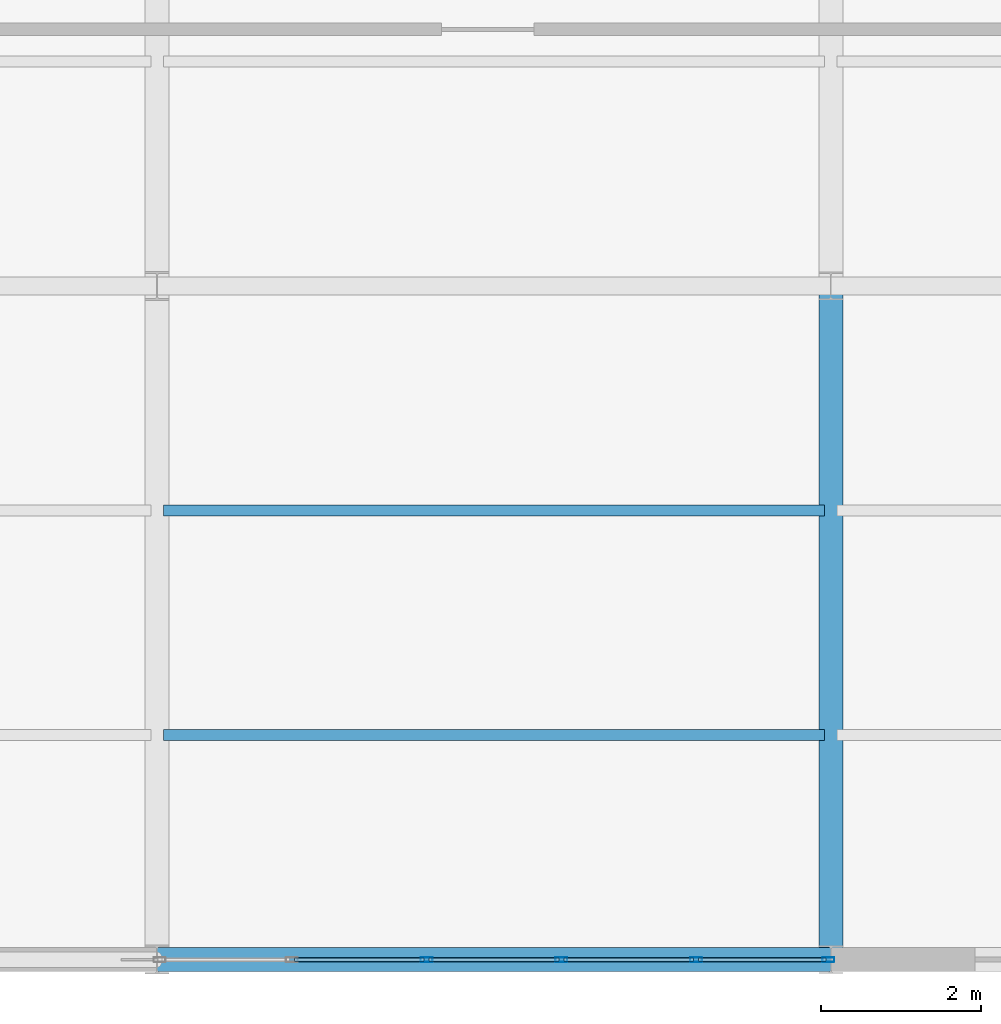
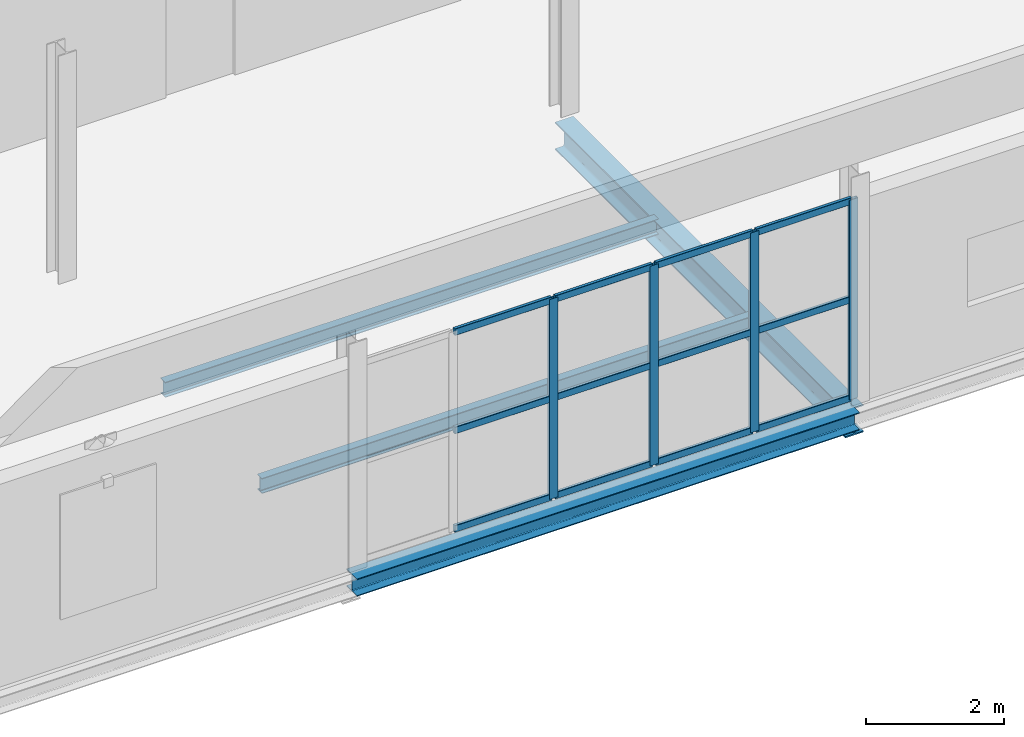
# One storey, part 122 of 184: 16 members, 4 beams, 1 element without a shape of its own.
"""IFC4 building model written with IfcOpenShell, lengths in metres."""

from ifc_helpers import new_model, si_unit, direction, frame, origin, origin_2d, place, context, subcontext, project, spatial, hollow_rectangle, i_section, extrude, material, layer, layer_set, material_profile, profile_set, type_object, element, aggregate, save


model = new_model("IFC4")

# Units and contexts
model_context = context("Model", 3, precision=1e-05, world=origin(), true_north=direction((0.0, 1.0)))
body_context = subcontext(model_context, "Body", "Model", "MODEL_VIEW")
ifc_project = project(units=[si_unit("LENGTHUNIT", "METRE"), si_unit("AREAUNIT", "SQUARE_METRE"), si_unit("VOLUMEUNIT", "CUBIC_METRE"), si_unit("PLANEANGLEUNIT", "RADIAN"), si_unit("MASSUNIT", "GRAM", prefix="KILO")], contexts=[model_context])

# Site, building, storey
site_placement = place(None, origin())
site = spatial("IfcSite", under=ifc_project, at=site_placement, CompositionType="ELEMENT")
building_placement = place(site_placement, origin())
building = spatial("IfcBuilding", under=site, at=building_placement, Name="Qalvenar Corner Mobility Hub", CompositionType="ELEMENT")
storey_placement = place(building_placement, frame((0.0, 0.0, 9.0)))
storey = spatial("IfcBuildingStorey", under=building, at=storey_placement, Name="L02", CompositionType="ELEMENT", Elevation=9.0)

# Beams
ifc_material_1 = material(Name="Steel S355", Category="steel")
ifc_material_profile_1 = material_profile(ifc_material_1, i_section(OverallWidth=0.300048828125, OverallDepth=0.489990234375, WebThickness=0.011962890625, FlangeThickness=0.02294921875, FilletRadius=0.027099609375, at=origin_2d()), Name="HEA500")
ifc_profile_set_1 = profile_set([ifc_material_profile_1], Name="Steel S355")
beam_type_1 = type_object("IfcBeamType", Name="BM-HEA500", PredefinedType="BEAM", material=ifc_profile_set_1)
beam_1_placement = place(storey_placement, frame((159.60009765625, 0.0, -0.425048828125), z_axis=(0.0, 1.0, 0.0), x_axis=(-1.0, 0.0, 0.0)))
element("IfcBeam", 1, at=beam_1_placement, inside=storey, type_object=beam_type_1, Name="Primary Steel Girder GY-1741", PredefinedType="BEAM", context=body_context, shape_type="SweptSolid", body=[
    extrude(i_section(OverallWidth=0.300048828125, OverallDepth=0.489990234375, WebThickness=0.011962890625, FlangeThickness=0.02294921875, FilletRadius=0.027099609375, at=origin_2d()), origin(), (0.0, 0.0, 1.0), 8.39990234375),
])
ifc_material_profile_2 = material_profile(ifc_material_1, i_section(OverallWidth=0.135009765625, OverallDepth=0.27001953125, WebThickness=0.006591796875, FlangeThickness=0.01025390625, FilletRadius=0.014892578125, at=origin_2d()), Name="IPE270")
ifc_profile_set_2 = profile_set([ifc_material_profile_2], Name="Steel S355")
beam_type_2 = type_object("IfcBeamType", Name="BM-JST270", PredefinedType="JOIST", material=ifc_profile_set_2)
for number, where, z_axis, x_axis, name in (
    (2, (151.278076171875, 2.800048828125, -0.31494140625), (1.0, 0.0, 0.0), (0.0, 1.0, 0.0), "Composite Floor Joist J-1799"),
    (3, (151.278076171875, 5.60009765625, -0.31494140625), (1.0, 0.0, 0.0), (0.0, 1.0, 0.0), "Composite Floor Joist J-1800"),
):
    element("IfcBeam", number, at=place(storey_placement, frame(where, z_axis=z_axis, x_axis=x_axis)), inside=storey, type_object=beam_type_2, Name=name, PredefinedType="JOIST", context=body_context, shape_type="SweptSolid", body=[
        extrude(i_section(OverallWidth=0.135009765625, OverallDepth=0.27001953125, WebThickness=0.006591796875, FlangeThickness=0.01025390625, FilletRadius=0.014892578125, at=origin_2d()), origin(), (0.0, 0.0, 1.0), 8.243896484375),
    ])
ifc_material_profile_3 = material_profile(ifc_material_1, i_section(OverallWidth=0.300048828125, OverallDepth=0.31005859375, WebThickness=0.009033203125, FlangeThickness=0.015380859375, FilletRadius=0.027099609375, at=origin_2d()), Name="HEA320")
ifc_profile_set_3 = profile_set([ifc_material_profile_3], Name="Steel S355")
beam_type_3 = type_object("IfcBeamType", Name="BM-SPN320", PredefinedType="SPANDREL", material=ifc_profile_set_3)
beam_2_placement = place(storey_placement, frame((151.199951171875, 0.0, -0.3349609375), z_axis=(1.0, 0.0, 0.0), x_axis=(0.0, 1.0, 0.0)))
element("IfcBeam", 4, at=beam_2_placement, inside=storey, type_object=beam_type_3, Name="Primary Steel Girder GX-1674", PredefinedType="SPANDREL", context=body_context, shape_type="SweptSolid", body=[
    extrude(i_section(OverallWidth=0.300048828125, OverallDepth=0.31005859375, WebThickness=0.009033203125, FlangeThickness=0.015380859375, FilletRadius=0.027099609375, at=origin_2d()), origin(), (0.0, 0.0, 1.0), 8.400146484375),
])

# Curtain wall, members
ifc_material_2 = material(Name="Anodised Aluminium and Low-E Glazing", Category="aluminium")
ifc_layer = layer(ifc_material_2, 0.14990234375)
ifc_layer_set = layer_set([ifc_layer], Name="Anodised Aluminium and Low-E Glazing")
curtain_wall_type = type_object("IfcCurtainWallType", Name="CW-WKS-84X44", PredefinedType="NOTDEFINED", material=ifc_layer_set)
curtain_wall_placement = place(storey_placement, origin())
curtain_wall = element("IfcCurtainWall", 5, at=curtain_wall_placement, inside=storey, type_object=curtain_wall_type, Name="Glazed Curtain Wall CW-V6-L02-S5", PredefinedType="NOTDEFINED")
ifc_material_3 = material(Name="Anodised Aluminium 6063-T6", Category="aluminium")
ifc_material_profile_4 = material_profile(ifc_material_3, hollow_rectangle(XDim=0.06005859375, YDim=0.14990234375, WallThickness=0.00390625, InnerFilletRadius=0.00390625, OuterFilletRadius=0.008056640625, at=origin_2d()), Name="RHS150x60x4")
ifc_profile_set_4 = profile_set([ifc_material_profile_4], Name="Anodised Aluminium 6063-T6")
member_type_1 = type_object("IfcMemberType", Name="CW-MUL150", PredefinedType="MULLION", material=ifc_profile_set_4)
member_1_placement = place(storey_placement, frame((154.56005859375, 0.0, 0.0), z_axis=(0.0, 0.0, 1.0), x_axis=(0.0, 1.0, 0.0)))
member_1 = element("IfcMember", 6, at=member_1_placement, type_object=member_type_1, Name="CW-09 mullion 3", PredefinedType="MULLION", context=body_context, shape_type="SweptSolid", body=[
    extrude(hollow_rectangle(XDim=0.06005859375, YDim=0.14990234375, WallThickness=0.00390625, InnerFilletRadius=0.00390625, OuterFilletRadius=0.008056640625, at=origin_2d()), origin(), (0.0, 0.0, 1.0), 3.530029296875),
])
member_2_placement = place(storey_placement, frame((156.239990234375, 0.0, 0.0), z_axis=(0.0, 0.0, 1.0), x_axis=(0.0, 1.0, 0.0)))
member_2 = element("IfcMember", 7, at=member_2_placement, type_object=member_type_1, Name="CW-09 mullion 4", PredefinedType="MULLION", context=body_context, shape_type="SweptSolid", body=[
    extrude(hollow_rectangle(XDim=0.06005859375, YDim=0.14990234375, WallThickness=0.00390625, InnerFilletRadius=0.00390625, OuterFilletRadius=0.008056640625, at=origin_2d()), origin(), (0.0, 0.0, 1.0), 3.530029296875),
])
member_3_placement = place(storey_placement, frame((157.919921875, 0.0, 0.0), z_axis=(0.0, 0.0, 1.0), x_axis=(0.0, 1.0, 0.0)))
member_3 = element("IfcMember", 8, at=member_3_placement, type_object=member_type_1, Name="CW-09 mullion 5", PredefinedType="MULLION", context=body_context, shape_type="SweptSolid", body=[
    extrude(hollow_rectangle(XDim=0.06005859375, YDim=0.14990234375, WallThickness=0.00390625, InnerFilletRadius=0.00390625, OuterFilletRadius=0.008056640625, at=origin_2d()), origin(), (0.0, 0.0, 1.0), 3.530029296875),
])
member_4_placement = place(storey_placement, frame((159.570068359375, 0.0, 0.0), z_axis=(0.0, 0.0, 1.0), x_axis=(0.0, 1.0, 0.0)))
member_4 = element("IfcMember", 9, at=member_4_placement, type_object=member_type_1, Name="CW-09 mullion 6", PredefinedType="MULLION", context=body_context, shape_type="SweptSolid", body=[
    extrude(hollow_rectangle(XDim=0.06005859375, YDim=0.14990234375, WallThickness=0.00390625, InnerFilletRadius=0.00390625, OuterFilletRadius=0.008056640625, at=origin_2d()), origin(), (0.0, 0.0, 1.0), 3.530029296875),
])
ifc_material_profile_5 = material_profile(ifc_material_3, hollow_rectangle(XDim=0.054931640625, YDim=0.1201171875, WallThickness=0.00341796875, InnerFilletRadius=0.00341796875, OuterFilletRadius=0.007080078125, at=origin_2d()), Name="RHS120x55x3.5")
ifc_profile_set_5 = profile_set([ifc_material_profile_5], Name="Anodised Aluminium 6063-T6")
member_type_2 = type_object("IfcMemberType", Name="CW-TRN120", PredefinedType="USERDEFINED", material=ifc_profile_set_5)
member_5_placement = place(storey_placement, frame((152.909912109375, 0.0, 0.027587890625), z_axis=(1.0, 0.0, 0.0), x_axis=(0.0, 1.0, 0.0)))
member_5 = element("IfcMember", 10, at=member_5_placement, type_object=member_type_2, Name="CW-09 transom 2.1", ObjectType="TRANSOM", PredefinedType="USERDEFINED", context=body_context, shape_type="SweptSolid", body=[
    extrude(hollow_rectangle(XDim=0.054931640625, YDim=0.1201171875, WallThickness=0.00341796875, InnerFilletRadius=0.00341796875, OuterFilletRadius=0.007080078125, at=origin_2d()), origin(), (0.0, 0.0, 1.0), 1.6201171875),
])
member_6_placement = place(storey_placement, frame((152.909912109375, 0.0, 1.764892578125), z_axis=(1.0, 0.0, 0.0), x_axis=(0.0, 1.0, 0.0)))
member_6 = element("IfcMember", 11, at=member_6_placement, type_object=member_type_2, Name="CW-09 transom 2.2", ObjectType="TRANSOM", PredefinedType="USERDEFINED", context=body_context, shape_type="SweptSolid", body=[
    extrude(hollow_rectangle(XDim=0.054931640625, YDim=0.1201171875, WallThickness=0.00341796875, InnerFilletRadius=0.00341796875, OuterFilletRadius=0.007080078125, at=origin_2d()), origin(), (0.0, 0.0, 1.0), 1.6201171875),
])
member_7_placement = place(storey_placement, frame((152.909912109375, 0.0, 3.50244140625), z_axis=(1.0, 0.0, 0.0), x_axis=(0.0, 1.0, 0.0)))
member_7 = element("IfcMember", 12, at=member_7_placement, type_object=member_type_2, Name="CW-09 transom 2.3", ObjectType="TRANSOM", PredefinedType="USERDEFINED", context=body_context, shape_type="SweptSolid", body=[
    extrude(hollow_rectangle(XDim=0.054931640625, YDim=0.1201171875, WallThickness=0.00341796875, InnerFilletRadius=0.00341796875, OuterFilletRadius=0.007080078125, at=origin_2d()), origin(), (0.0, 0.0, 1.0), 1.6201171875),
])
member_8_placement = place(storey_placement, frame((154.590087890625, 0.0, 0.027587890625), z_axis=(1.0, 0.0, 0.0), x_axis=(0.0, 1.0, 0.0)))
member_8 = element("IfcMember", 13, at=member_8_placement, type_object=member_type_2, Name="CW-09 transom 3.1", ObjectType="TRANSOM", PredefinedType="USERDEFINED", context=body_context, shape_type="SweptSolid", body=[
    extrude(hollow_rectangle(XDim=0.054931640625, YDim=0.1201171875, WallThickness=0.00341796875, InnerFilletRadius=0.00341796875, OuterFilletRadius=0.007080078125, at=origin_2d()), origin(), (0.0, 0.0, 1.0), 1.619873046875),
])
member_9_placement = place(storey_placement, frame((154.590087890625, 0.0, 1.764892578125), z_axis=(1.0, 0.0, 0.0), x_axis=(0.0, 1.0, 0.0)))
member_9 = element("IfcMember", 14, at=member_9_placement, type_object=member_type_2, Name="CW-09 transom 3.2", ObjectType="TRANSOM", PredefinedType="USERDEFINED", context=body_context, shape_type="SweptSolid", body=[
    extrude(hollow_rectangle(XDim=0.054931640625, YDim=0.1201171875, WallThickness=0.00341796875, InnerFilletRadius=0.00341796875, OuterFilletRadius=0.007080078125, at=origin_2d()), origin(), (0.0, 0.0, 1.0), 1.619873046875),
])
member_10_placement = place(storey_placement, frame((154.590087890625, 0.0, 3.50244140625), z_axis=(1.0, 0.0, 0.0), x_axis=(0.0, 1.0, 0.0)))
member_10 = element("IfcMember", 15, at=member_10_placement, type_object=member_type_2, Name="CW-09 transom 3.3", ObjectType="TRANSOM", PredefinedType="USERDEFINED", context=body_context, shape_type="SweptSolid", body=[
    extrude(hollow_rectangle(XDim=0.054931640625, YDim=0.1201171875, WallThickness=0.00341796875, InnerFilletRadius=0.00341796875, OuterFilletRadius=0.007080078125, at=origin_2d()), origin(), (0.0, 0.0, 1.0), 1.619873046875),
])
member_11_placement = place(storey_placement, frame((156.27001953125, 0.0, 0.027587890625), z_axis=(1.0, 0.0, 0.0), x_axis=(0.0, 1.0, 0.0)))
member_11 = element("IfcMember", 16, at=member_11_placement, type_object=member_type_2, Name="CW-09 transom 4.1", ObjectType="TRANSOM", PredefinedType="USERDEFINED", context=body_context, shape_type="SweptSolid", body=[
    extrude(hollow_rectangle(XDim=0.054931640625, YDim=0.1201171875, WallThickness=0.00341796875, InnerFilletRadius=0.00341796875, OuterFilletRadius=0.007080078125, at=origin_2d()), origin(), (0.0, 0.0, 1.0), 1.619873046875),
])
member_12_placement = place(storey_placement, frame((156.27001953125, 0.0, 1.764892578125), z_axis=(1.0, 0.0, 0.0), x_axis=(0.0, 1.0, 0.0)))
member_12 = element("IfcMember", 17, at=member_12_placement, type_object=member_type_2, Name="CW-09 transom 4.2", ObjectType="TRANSOM", PredefinedType="USERDEFINED", context=body_context, shape_type="SweptSolid", body=[
    extrude(hollow_rectangle(XDim=0.054931640625, YDim=0.1201171875, WallThickness=0.00341796875, InnerFilletRadius=0.00341796875, OuterFilletRadius=0.007080078125, at=origin_2d()), origin(), (0.0, 0.0, 1.0), 1.619873046875),
])
member_13_placement = place(storey_placement, frame((156.27001953125, 0.0, 3.50244140625), z_axis=(1.0, 0.0, 0.0), x_axis=(0.0, 1.0, 0.0)))
member_13 = element("IfcMember", 18, at=member_13_placement, type_object=member_type_2, Name="CW-09 transom 4.3", ObjectType="TRANSOM", PredefinedType="USERDEFINED", context=body_context, shape_type="SweptSolid", body=[
    extrude(hollow_rectangle(XDim=0.054931640625, YDim=0.1201171875, WallThickness=0.00341796875, InnerFilletRadius=0.00341796875, OuterFilletRadius=0.007080078125, at=origin_2d()), origin(), (0.0, 0.0, 1.0), 1.619873046875),
])
member_14_placement = place(storey_placement, frame((157.949951171875, 0.0, 0.027587890625), z_axis=(1.0, 0.0, 0.0), x_axis=(0.0, 1.0, 0.0)))
member_14 = element("IfcMember", 19, at=member_14_placement, type_object=member_type_2, Name="CW-09 transom 5.1", ObjectType="TRANSOM", PredefinedType="USERDEFINED", context=body_context, shape_type="SweptSolid", body=[
    extrude(hollow_rectangle(XDim=0.054931640625, YDim=0.1201171875, WallThickness=0.00341796875, InnerFilletRadius=0.00341796875, OuterFilletRadius=0.007080078125, at=origin_2d()), origin(), (0.0, 0.0, 1.0), 1.590087890625),
])
member_15_placement = place(storey_placement, frame((157.949951171875, 0.0, 1.764892578125), z_axis=(1.0, 0.0, 0.0), x_axis=(0.0, 1.0, 0.0)))
member_15 = element("IfcMember", 20, at=member_15_placement, type_object=member_type_2, Name="CW-09 transom 5.2", ObjectType="TRANSOM", PredefinedType="USERDEFINED", context=body_context, shape_type="SweptSolid", body=[
    extrude(hollow_rectangle(XDim=0.054931640625, YDim=0.1201171875, WallThickness=0.00341796875, InnerFilletRadius=0.00341796875, OuterFilletRadius=0.007080078125, at=origin_2d()), origin(), (0.0, 0.0, 1.0), 1.590087890625),
])
member_16_placement = place(storey_placement, frame((157.949951171875, 0.0, 3.50244140625), z_axis=(1.0, 0.0, 0.0), x_axis=(0.0, 1.0, 0.0)))
member_16 = element("IfcMember", 21, at=member_16_placement, type_object=member_type_2, Name="CW-09 transom 5.3", ObjectType="TRANSOM", PredefinedType="USERDEFINED", context=body_context, shape_type="SweptSolid", body=[
    extrude(hollow_rectangle(XDim=0.054931640625, YDim=0.1201171875, WallThickness=0.00341796875, InnerFilletRadius=0.00341796875, OuterFilletRadius=0.007080078125, at=origin_2d()), origin(), (0.0, 0.0, 1.0), 1.590087890625),
])
aggregate(curtain_wall, [member_1, member_2, member_3, member_4, member_5, member_6, member_7, member_8, member_9, member_10, member_11, member_12, member_13, member_14, member_15, member_16])

save(model, "model.ifc")
